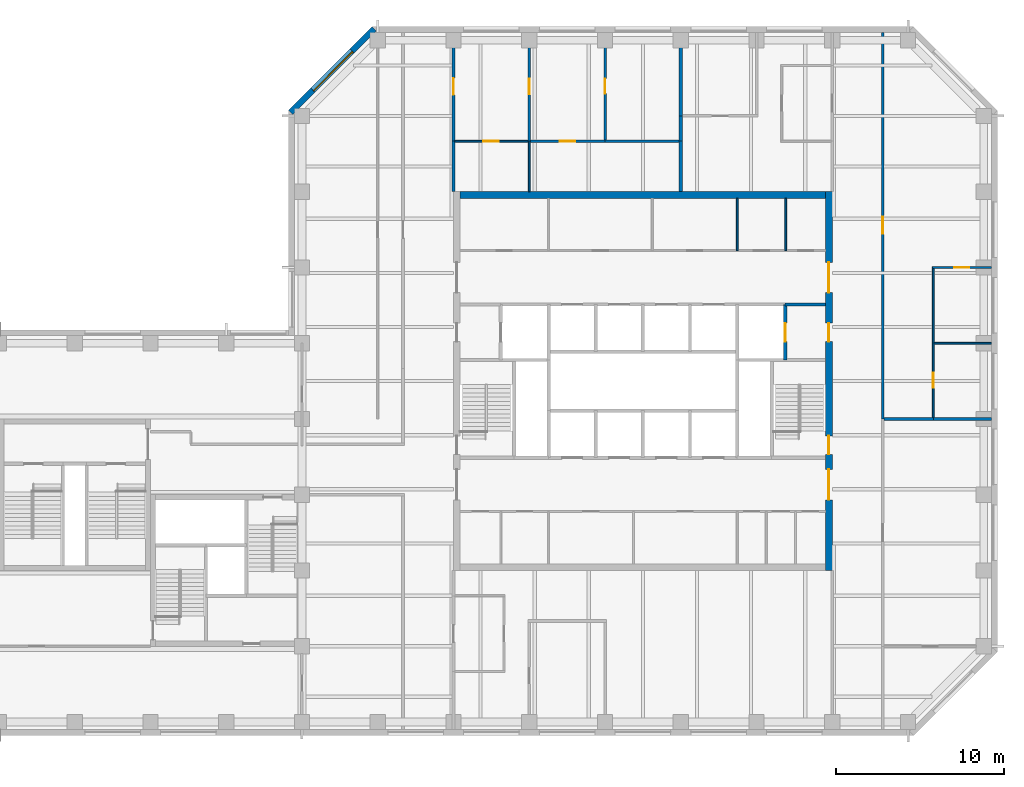
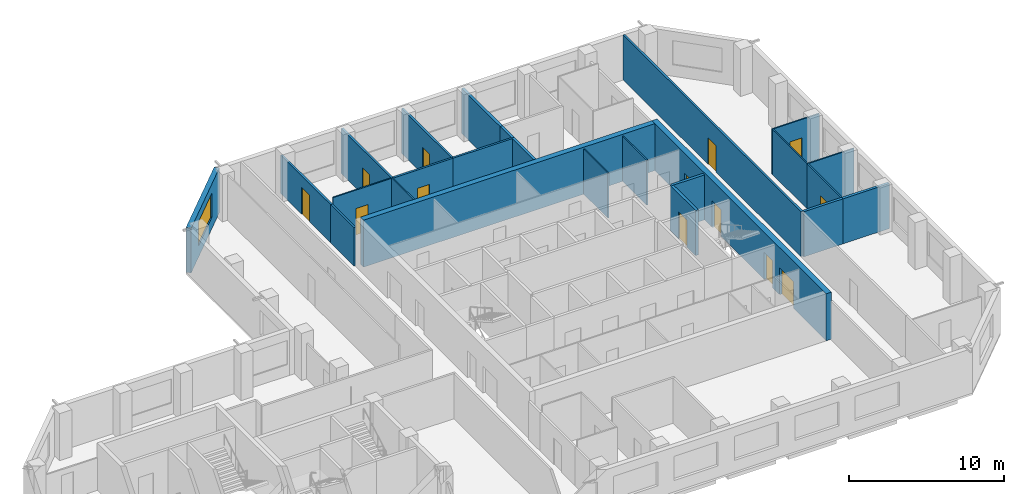
# One storey, part 6 of 9: 25 walls, 13 doors, 1 window, 14 openings.
"""IFC4 building model written with IfcOpenShell, lengths in metres."""

from ifc_helpers import new_model, si_unit, direction, frame, frame_2d, origin, place, context, subcontext, project, spatial, rectangle, extrude, material, layer, layer_set, constituent, constituent_set, type_object, element, fill, save


model = new_model("IFC4")

# Units and contexts
model_context = context("Model", 3, precision=1e-05, world=origin(), true_north=direction((0.0, 1.0)))
body_context = subcontext(model_context, "Body", "Model", "MODEL_VIEW")
ifc_project = project(units=[si_unit("LENGTHUNIT", "METRE"), si_unit("AREAUNIT", "SQUARE_METRE"), si_unit("VOLUMEUNIT", "CUBIC_METRE"), si_unit("PLANEANGLEUNIT", "RADIAN"), si_unit("MASSUNIT", "GRAM", prefix="KILO")], contexts=[model_context])

# Site, building, storey
site_placement = place(None, origin())
site = spatial("IfcSite", under=ifc_project, at=site_placement, CompositionType="ELEMENT")
building_placement = place(site_placement, origin())
building = spatial("IfcBuilding", under=site, at=building_placement, Name="Quoin Convention Tower", CompositionType="ELEMENT")
storey_placement = place(building_placement, frame((0.0, 0.0, 155.10009765625)))
storey = spatial("IfcBuildingStorey", under=building, at=storey_placement, Name="L40", CompositionType="ELEMENT", Elevation=155.10009765625)

# Wall, opening, door
ifc_material_1 = material(Name="Plasterboard")
ifc_layer_1 = layer(ifc_material_1, 0.012451171875, Name="Finish")
ifc_material_2 = material(Name="Steel stud framing", Category="steel")
ifc_layer_2 = layer(ifc_material_2, 0.125, Name="Structure")
ifc_layer_3 = layer(ifc_material_1, 0.012451171875, Name="Finish")
ifc_layer_set_1 = layer_set([ifc_layer_1, ifc_layer_2, ifc_layer_3], Name="Steel stud framing")
wall_type_1 = type_object("IfcWallType", Name="Acoustic partition 150", PredefinedType="PARTITIONING", material=ifc_layer_set_1)
wall_1_placement = place(storey_placement, frame((49.574951171875, 75.0, 0.0), z_axis=(0.0, 0.0, 1.0), x_axis=(1.0, 0.0, 0.0)))
wall_1 = element("IfcWall", 1, at=wall_1_placement, inside=storey, type_object=wall_type_1, Name="pw-L40-024", PredefinedType="PARTITIONING", context=body_context, shape_type="SweptSolid", body=[
    extrude(rectangle(XDim=4.425048828125, YDim=0.14990234375, at=frame_2d((2.21240234375, 0.0))), origin(), (0.0, 0.0, 1.0), 3.5498046875),
])
opening_1_placement = place(wall_1_placement, frame((1.75, 0.0, 0.0)))
opening_1 = element("IfcOpeningElement", 2, at=opening_1_placement, cuts=wall_1, Name="Opening DOH2-04", PredefinedType="OPENING", context=body_context, shape_type="SweptSolid", body=[
    extrude(rectangle(XDim=0.89990234375, YDim=2.10009765625, at=frame_2d((0.449951171875, 1.050048828125))), frame((0.0, 0.0849609375, 0.0), z_axis=(0.0, -1.0, 0.0), x_axis=(1.0, 0.0, 0.0)), (0.0, 0.0, 1.0), 0.169921875),
])
ifc_material_3 = material(Name="Steel door leaf", Category="steel")
door_type_1 = type_object("IfcDoorType", Name="Office door 900 x 2100", OperationType="SINGLE_SWING_RIGHT", PredefinedType="DOOR", material=ifc_material_3)
door_1_placement = place(opening_1_placement, origin())
door_1 = element("IfcDoor", 3, at=door_1_placement, inside=storey, type_object=door_type_1, Name="dr-L40-20", OperationType="SINGLE_SWING_RIGHT", OverallHeight=2.10009765625, OverallWidth=0.89990234375, PredefinedType="DOOR", context=body_context, shape_type="SweptSolid", body=[
    extrude(rectangle(XDim=0.89990234375, YDim=2.10009765625, at=frame_2d((0.449951171875, 1.050048828125))), frame((0.0, 0.02490234375, 0.0), z_axis=(0.0, -1.0, 0.0), x_axis=(1.0, 0.0, 0.0)), (0.0, 0.0, 1.0), 0.050048828125),
])
fill(opening_1, door_1)

# Wall
wall_2_placement = place(storey_placement, frame((54.0, 75.0, 0.0), z_axis=(0.0, 0.0, 1.0), x_axis=(1.0, 0.0, 0.0)))
element("IfcWall", 4, at=wall_2_placement, inside=storey, type_object=wall_type_1, Name="pw-L40-025", PredefinedType="PARTITIONING", context=body_context, shape_type="SweptSolid", body=[
    extrude(rectangle(XDim=4.39990234375, YDim=0.14990234375, at=frame_2d((2.199951171875, 0.0))), origin(), (0.0, 0.0, 1.0), 3.5498046875),
])

# Wall, opening, door
wall_3_placement = place(storey_placement, frame((49.5, 75.0, 0.0), z_axis=(0.0, 0.0, 1.0), x_axis=(0.0, 1.0, 0.0)))
wall_3 = element("IfcWall", 5, at=wall_3_placement, inside=storey, type_object=wall_type_1, Name="pw-L40-065", PredefinedType="PARTITIONING", context=body_context, shape_type="SweptSolid", body=[
    extrude(rectangle(XDim=6.449951171875, YDim=0.14990234375, at=frame_2d((3.22509765625, 0.0))), origin(), (0.0, 0.0, 1.0), 3.5498046875),
])
opening_2_placement = place(wall_3_placement, frame((2.800048828125, 0.0, 0.0)))
opening_2 = element("IfcOpeningElement", 6, at=opening_2_placement, cuts=wall_3, Name="Opening DOH2-15", PredefinedType="OPENING", context=body_context, shape_type="SweptSolid", body=[
    extrude(rectangle(XDim=0.89990234375, YDim=2.10009765625, at=frame_2d((0.449951171875, 1.050048828125))), frame((0.0, 0.0849609375, 0.0), z_axis=(0.0, -1.0, 0.0), x_axis=(1.0, 0.0, 0.0)), (0.0, 0.0, 1.0), 0.169921875),
])
door_2_placement = place(opening_2_placement, frame((0.89990234375, 0.0, 0.0), z_axis=(0.0, 0.0, 1.0), x_axis=(-1.0, 0.0, 0.0)))
door_2 = element("IfcDoor", 7, at=door_2_placement, inside=storey, type_object=door_type_1, Name="dr-L40-17", OperationType="SINGLE_SWING_LEFT", OverallHeight=2.10009765625, OverallWidth=0.89990234375, PredefinedType="DOOR", context=body_context, shape_type="SweptSolid", body=[
    extrude(rectangle(XDim=0.89990234375, YDim=2.10009765625, at=frame_2d((0.449951171875, 1.050048828125))), frame((0.0, 0.02490234375, 0.0), z_axis=(0.0, -1.0, 0.0), x_axis=(1.0, 0.0, 0.0)), (0.0, 0.0, 1.0), 0.050048828125),
])
fill(opening_2, door_2)

wall_4_placement = place(storey_placement, frame((54.0, 75.074951171875, 0.0), z_axis=(0.0, 0.0, 1.0), x_axis=(0.0, 1.0, 0.0)))
wall_4 = element("IfcWall", 8, at=wall_4_placement, inside=storey, type_object=wall_type_1, Name="pw-L40-069", PredefinedType="PARTITIONING", context=body_context, shape_type="SweptSolid", body=[
    extrude(rectangle(XDim=6.375, YDim=0.14990234375, at=frame_2d((3.1875, 0.0))), origin(), (0.0, 0.0, 1.0), 3.5498046875),
])
opening_3_placement = place(wall_4_placement, frame((2.75, 0.0, 0.0)))
opening_3 = element("IfcOpeningElement", 9, at=opening_3_placement, cuts=wall_4, Name="Opening DOH2-18", PredefinedType="OPENING", context=body_context, shape_type="SweptSolid", body=[
    extrude(rectangle(XDim=0.89990234375, YDim=2.10009765625, at=frame_2d((0.449951171875, 1.050048828125))), frame((0.0, 0.0849609375, 0.0), z_axis=(0.0, -1.0, 0.0), x_axis=(1.0, 0.0, 0.0)), (0.0, 0.0, 1.0), 0.169921875),
])
door_3_placement = place(opening_3_placement, origin())
door_3 = element("IfcDoor", 10, at=door_3_placement, inside=storey, type_object=door_type_1, Name="dr-L40-18", OperationType="SINGLE_SWING_RIGHT", OverallHeight=2.10009765625, OverallWidth=0.89990234375, PredefinedType="DOOR", context=body_context, shape_type="SweptSolid", body=[
    extrude(rectangle(XDim=0.89990234375, YDim=2.10009765625, at=frame_2d((0.449951171875, 1.050048828125))), frame((0.0, 0.02490234375, 0.0), z_axis=(0.0, -1.0, 0.0), x_axis=(1.0, 0.0, 0.0)), (0.0, 0.0, 1.0), 0.050048828125),
])
fill(opening_3, door_3)

# Wall, opening, window
ifc_material_4 = material(Name="Brick masonry", Category="masonry")
ifc_layer_4 = layer(ifc_material_4, 0.35009765625)
ifc_layer_set_2 = layer_set([ifc_layer_4], Name="Brick masonry")
wall_type_2 = type_object("IfcWallType", Name="Brick facade wall", PredefinedType="STANDARD", material=ifc_layer_set_2)
wall_5_placement = place(storey_placement, frame((40.29248046875, 81.67626953125, 0.0), z_axis=(0.0, 0.0, 1.0), x_axis=(-0.707106781187, -0.707106781187, 0.0)))
wall_5 = element("IfcWall", 11, at=wall_5_placement, inside=storey, type_object=wall_type_2, Name="fw-L40-40500_81000", PredefinedType="STANDARD", context=body_context, shape_type="SweptSolid", body=[
    extrude(rectangle(XDim=7.02685546875, YDim=0.35009765625, at=frame_2d((3.513427734375, 0.0))), origin(), (0.0, 0.0, 1.0), 3.52490234375),
])
opening_4_placement = place(wall_5_placement, frame((1.86328125, 0.0, 0.89990234375)))
opening_4 = element("IfcOpeningElement", 12, at=opening_4_placement, cuts=wall_5, Name="Opening W-02", PredefinedType="OPENING", context=body_context, shape_type="SweptSolid", body=[
    extrude(rectangle(XDim=3.300048828125, YDim=1.89990234375, at=frame_2d((1.64990234375, 0.949951171875))), frame((0.0, 0.18505859375, 0.0), z_axis=(0.0, -1.0, 0.0), x_axis=(1.0, 0.0, 0.0)), (0.0, 0.0, 1.0), 0.3701171875),
])
ifc_material_5 = material(Name="Aluminium", Category="aluminium")
ifc_constituent_1 = constituent(ifc_material_5, Name="Frame")
ifc_material_6 = material(Name="Insulated glass", Category="glass")
ifc_constituent_2 = constituent(ifc_material_6, Name="Glazing")
ifc_constituent_set = constituent_set(constituents=[ifc_constituent_1, ifc_constituent_2], Name="Aluminium")
window_type = type_object("IfcWindowType", Name="Office window", PartitioningType="DOUBLE_PANEL_VERTICAL", PredefinedType="WINDOW", material=ifc_constituent_set)
window_placement = place(opening_4_placement, origin())
window = element("IfcWindow", 13, at=window_placement, inside=storey, type_object=window_type, Name="win-L40-37808_79192", OverallHeight=1.89990234375, OverallWidth=3.300048828125, PartitioningType="SINGLE_PANEL", PredefinedType="WINDOW", context=body_context, shape_type="SweptSolid", body=[
    extrude(rectangle(XDim=3.300048828125, YDim=1.89990234375, at=frame_2d((1.64990234375, 0.949951171875))), frame((0.0, 0.0849609375, 0.0), z_axis=(0.0, -1.0, 0.0), x_axis=(1.0, 0.0, 0.0)), (0.0, 0.0, 1.0), 0.06005859375),
])
fill(opening_4, window)

# Walls
ifc_layer_5 = layer(ifc_material_1, 0.012451171875, Name="Finish")
ifc_layer_6 = layer(ifc_material_2, 0.074951171875, Name="Structure")
ifc_layer_7 = layer(ifc_material_1, 0.012451171875, Name="Finish")
ifc_layer_set_3 = layer_set([ifc_layer_5, ifc_layer_6, ifc_layer_7], Name="Steel stud framing")
wall_type_3 = type_object("IfcWallType", Name="Core partition wall", PredefinedType="PARTITIONING", material=ifc_layer_set_3)
for number, where, z_axis, x_axis, name in (
    (14, (61.85009765625, 68.5, 0.0), (0.0, 0.0, 1.0), (0.0, 1.0, 0.0), "cr-C1-L40-v16850_19000"),
    (15, (64.737548828125, 68.5, 0.0), (0.0, 0.0, 1.0), (0.0, 1.0, 0.0), "cr-C1-L40-v19738_19000"),
):
    element("IfcWall", number, at=place(storey_placement, frame(where, z_axis=z_axis, x_axis=x_axis)), inside=storey, type_object=wall_type_3, Name=name, PredefinedType="PARTITIONING", context=body_context, shape_type="SweptSolid", body=[
        extrude(rectangle(XDim=3.10009765625, YDim=0.10009765625, at=frame_2d((1.550048828125, 0.0))), origin(), (0.0, 0.0, 1.0), 3.5498046875),
    ])
ifc_material_7 = material(Name="Concrete C50", Category="concrete")
ifc_layer_8 = layer(ifc_material_7, 0.199951171875)
ifc_layer_set_4 = layer_set([ifc_layer_8], Name="Concrete C50")
wall_type_4 = type_object("IfcWallType", Name="Core shaft wall", PredefinedType="SOLIDWALL", material=ifc_layer_set_4)
wall_6_placement = place(storey_placement, frame((64.699951171875, 65.300048828125, 0.0), z_axis=(0.0, 0.0, 1.0), x_axis=(1.0, 0.0, 0.0)))
element("IfcWall", 16, at=wall_6_placement, inside=storey, type_object=wall_type_4, Name="cr-C1-L40-h15800_19700", PredefinedType="SOLIDWALL", context=body_context, shape_type="SweptSolid", body=[
    extrude(rectangle(XDim=2.400146484375, YDim=0.199951171875, at=frame_2d((1.2001953125, 0.0))), origin(), (0.0, 0.0, 1.0), 3.5498046875),
])

# Wall, opening, door
wall_7_placement = place(storey_placement, frame((64.699951171875, 62.0, 0.0), z_axis=(0.0, 0.0, 1.0), x_axis=(0.0, 1.0, 0.0)))
wall_7 = element("IfcWall", 17, at=wall_7_placement, inside=storey, type_object=wall_type_4, Name="cr-C1-L40-v19700_12500", PredefinedType="SOLIDWALL", context=body_context, shape_type="SweptSolid", body=[
    extrude(rectangle(XDim=3.300048828125, YDim=0.199951171875, at=frame_2d((1.64990234375, 0.0))), origin(), (0.0, 0.0, 1.0), 3.5498046875),
])
opening_5_placement = place(wall_7_placement, frame((1.10009765625, 0.0, 0.0)))
opening_5 = element("IfcOpeningElement", 18, at=opening_5_placement, cuts=wall_7, Name="Opening LDFL2", PredefinedType="OPENING", context=body_context, shape_type="SweptSolid", body=[
    extrude(rectangle(XDim=1.10009765625, YDim=2.10009765625, at=frame_2d((0.550048828125, 1.050048828125))), frame((0.0, 0.10986328125, 0.0), z_axis=(0.0, -1.0, 0.0), x_axis=(1.0, 0.0, 0.0)), (0.0, 0.0, 1.0), 0.219970703125),
])
door_type_2 = type_object("IfcDoorType", Name="Lift landing door 1100 x 2100", OperationType="DOUBLE_DOOR_SLIDING", PredefinedType="DOOR", material=ifc_material_3)
door_4_placement = place(opening_5_placement, origin())
door_4 = element("IfcDoor", 19, at=door_4_placement, inside=storey, type_object=door_type_2, Name="cd-C1-L40-FLE-FFE-LDFL2", OperationType="DOUBLE_DOOR_SLIDING", OverallHeight=2.10009765625, OverallWidth=1.10009765625, PredefinedType="DOOR", context=body_context, shape_type="SweptSolid", body=[
    extrude(rectangle(XDim=1.10009765625, YDim=2.10009765625, at=frame_2d((0.550048828125, 1.050048828125))), frame((0.0, 0.02490234375, 0.0), z_axis=(0.0, -1.0, 0.0), x_axis=(1.0, 0.0, 0.0)), (0.0, 0.0, 1.0), 0.050048828125),
])
fill(opening_5, door_4)

ifc_layer_9 = layer(ifc_material_1, 0.012451171875, Name="Finish")
ifc_layer_10 = layer(ifc_material_2, 0.125, Name="Structure")
ifc_layer_11 = layer(ifc_material_1, 0.012451171875, Name="Finish")
ifc_layer_set_5 = layer_set([ifc_layer_9, ifc_layer_10, ifc_layer_11], Name="Steel stud framing")
wall_type_5 = type_object("IfcWallType", Name="Corridor wall 150", PredefinedType="PARTITIONING", material=ifc_layer_set_5)
wall_8_placement = place(storey_placement, frame((70.5, 58.5, 0.0), z_axis=(0.0, 0.0, 1.0), x_axis=(0.0, 1.0, 0.0)))
wall_8 = element("IfcWall", 20, at=wall_8_placement, inside=storey, type_object=wall_type_5, Name="pw-L40-049", PredefinedType="PARTITIONING", context=body_context, shape_type="SweptSolid", body=[
    extrude(rectangle(XDim=22.949951171875, YDim=0.14990234375, at=frame_2d((11.47509765625, 0.0))), origin(), (0.0, 0.0, 1.0), 3.5498046875),
])
opening_6_placement = place(wall_8_placement, frame((11.0, 0.0, 0.0)))
opening_6 = element("IfcOpeningElement", 21, at=opening_6_placement, cuts=wall_8, Name="Opening DOH2-11", PredefinedType="OPENING", context=body_context, shape_type="SweptSolid", body=[
    extrude(rectangle(XDim=1.0, YDim=2.10009765625, at=frame_2d((0.5, 1.050048828125))), frame((0.0, 0.0849609375, 0.0), z_axis=(0.0, -1.0, 0.0), x_axis=(1.0, 0.0, 0.0)), (0.0, 0.0, 1.0), 0.169921875),
])
door_type_3 = type_object("IfcDoorType", Name="Tenancy entrance door 1000 x 2100", OperationType="DOUBLE_DOOR_SINGLE_SWING", PredefinedType="DOOR", material=ifc_material_3)
door_5_placement = place(opening_6_placement, frame((1.0, 0.0, 0.0), z_axis=(0.0, 0.0, 1.0), x_axis=(-1.0, 0.0, 0.0)))
door_5 = element("IfcDoor", 22, at=door_5_placement, inside=storey, type_object=door_type_3, Name="dr-L40-26", OperationType="DOUBLE_DOOR_SINGLE_SWING", OverallHeight=2.10009765625, OverallWidth=1.0, PredefinedType="DOOR", context=body_context, shape_type="SweptSolid", body=[
    extrude(rectangle(XDim=1.0, YDim=2.10009765625, at=frame_2d((0.5, 1.050048828125))), frame((0.0, 0.02490234375, 0.0), z_axis=(0.0, -1.0, 0.0), x_axis=(1.0, 0.0, 0.0)), (0.0, 0.0, 1.0), 0.050048828125),
])
fill(opening_6, door_5)

# Wall
ifc_layer_12 = layer(ifc_material_1, 0.012451171875, Name="Finish")
ifc_layer_13 = layer(ifc_material_2, 0.125, Name="Structure")
ifc_layer_14 = layer(ifc_material_1, 0.012451171875, Name="Finish")
ifc_layer_set_6 = layer_set([ifc_layer_12, ifc_layer_13, ifc_layer_14], Name="Steel stud framing")
wall_type_6 = type_object("IfcWallType", Name="Corridor wall 150 under beam 528", PredefinedType="PARTITIONING", material=ifc_layer_set_6)
wall_9_placement = place(storey_placement, frame((45.0, 72.0, 0.0), z_axis=(0.0, 0.0, 1.0), x_axis=(0.0, 1.0, 0.0)))
element("IfcWall", 23, at=wall_9_placement, inside=storey, type_object=wall_type_6, Name="pw-L40-060", PredefinedType="PARTITIONING", context=body_context, shape_type="SweptSolid", body=[
    extrude(rectangle(XDim=3.0, YDim=0.14990234375, at=frame_2d((1.5, 0.0))), origin(), (0.0, 0.0, 1.0), 3.02197265625),
])

# Wall, opening, door
wall_10_placement = place(storey_placement, frame((45.0, 75.0, 0.0), z_axis=(0.0, 0.0, 1.0), x_axis=(0.0, 1.0, 0.0)))
wall_10 = element("IfcWall", 24, at=wall_10_placement, inside=storey, type_object=wall_type_6, Name="pw-L40-064", PredefinedType="PARTITIONING", context=body_context, shape_type="SweptSolid", body=[
    extrude(rectangle(XDim=6.449951171875, YDim=0.14990234375, at=frame_2d((3.22509765625, 0.0))), origin(), (0.0, 0.0, 1.0), 3.02197265625),
])
opening_7_placement = place(wall_10_placement, frame((2.75, 0.0, 0.0)))
opening_7 = element("IfcOpeningElement", 25, at=opening_7_placement, cuts=wall_10, Name="Opening DOH2-14", PredefinedType="OPENING", context=body_context, shape_type="SweptSolid", body=[
    extrude(rectangle(XDim=1.0, YDim=2.10009765625, at=frame_2d((0.5, 1.050048828125))), frame((0.0, 0.0849609375, 0.0), z_axis=(0.0, -1.0, 0.0), x_axis=(1.0, 0.0, 0.0)), (0.0, 0.0, 1.0), 0.169921875),
])
door_6_placement = place(opening_7_placement, origin())
door_6 = element("IfcDoor", 26, at=door_6_placement, inside=storey, type_object=door_type_3, Name="dr-L40-16", OperationType="DOUBLE_DOOR_SINGLE_SWING", OverallHeight=2.10009765625, OverallWidth=1.0, PredefinedType="DOOR", context=body_context, shape_type="SweptSolid", body=[
    extrude(rectangle(XDim=1.0, YDim=2.10009765625, at=frame_2d((0.5, 1.050048828125))), frame((0.0, 0.02490234375, 0.0), z_axis=(0.0, -1.0, 0.0), x_axis=(1.0, 0.0, 0.0)), (0.0, 0.0, 1.0), 0.050048828125),
])
fill(opening_7, door_6)

# Wall
ifc_layer_15 = layer(ifc_material_7, 0.39990234375)
ifc_layer_set_7 = layer_set([ifc_layer_15], Name="Concrete C50")
wall_type_7 = type_object("IfcWallType", Name="RC CORE WALL 400 C50", PredefinedType="SHEAR", material=ifc_layer_set_7)
wall_11_placement = place(storey_placement, frame((45.39990234375, 71.800048828125, 0.0), z_axis=(0.0, 0.0, 1.0), x_axis=(1.0, 0.0, 0.0)))
element("IfcWall", 27, at=wall_11_placement, inside=storey, type_object=wall_type_7, Name="cwl-C1-L40-N", PredefinedType="SHEAR", context=body_context, shape_type="SweptSolid", body=[
    extrude(rectangle(XDim=21.7001953125, YDim=0.39990234375, at=frame_2d((10.85009765625, 0.0))), origin(), (0.0, 0.0, 1.0), 3.699951171875),
])

# Wall, openings, doors
wall_12_placement = place(storey_placement, frame((67.300048828125, 49.5, 0.0), z_axis=(0.0, 0.0, 1.0), x_axis=(0.0, 1.0, 0.0)))
wall_12 = element("IfcWall", 28, at=wall_12_placement, inside=storey, type_object=wall_type_7, Name="cwl-C1-L40-E", PredefinedType="SHEAR", context=body_context, shape_type="SweptSolid", body=[
    extrude(rectangle(XDim=22.5, YDim=0.39990234375, at=frame_2d((11.25, 0.0))), origin(), (0.0, 0.0, 1.0), 3.699951171875),
])
opening_8_placement = place(wall_12_placement, frame((4.199951171875, 0.0, 0.0)))
opening_8 = element("IfcOpeningElement", 29, at=opening_8_placement, cuts=wall_12, Name="Opening DCV2-38", PredefinedType="OPENING", context=body_context, shape_type="SweptSolid", body=[
    extrude(rectangle(XDim=1.800048828125, YDim=2.10009765625, at=frame_2d((0.89990234375, 1.050048828125))), frame((0.0, 0.2099609375, 0.0), z_axis=(0.0, -1.0, 0.0), x_axis=(1.0, 0.0, 0.0)), (0.0, 0.0, 1.0), 0.419921875),
])
opening_9_placement = place(wall_12_placement, frame((6.89990234375, 0.0, 0.0)))
opening_9 = element("IfcOpeningElement", 30, at=opening_9_placement, cuts=wall_12, Name="Opening SD2", PredefinedType="OPENING", context=body_context, shape_type="SweptSolid", body=[
    extrude(rectangle(XDim=1.10009765625, YDim=2.10009765625, at=frame_2d((0.550048828125, 1.050048828125))), frame((0.0, 0.2099609375, 0.0), z_axis=(0.0, -1.0, 0.0), x_axis=(1.0, 0.0, 0.0)), (0.0, 0.0, 1.0), 0.419921875),
])
opening_10_placement = place(wall_12_placement, frame((13.60009765625, 0.0, 0.0)))
opening_10 = element("IfcOpeningElement", 31, at=opening_10_placement, cuts=wall_12, Name="Opening DCV2-37", PredefinedType="OPENING", context=body_context, shape_type="SweptSolid", body=[
    extrude(rectangle(XDim=1.10009765625, YDim=2.10009765625, at=frame_2d((0.550048828125, 1.050048828125))), frame((0.0, 0.2099609375, 0.0), z_axis=(0.0, -1.0, 0.0), x_axis=(1.0, 0.0, 0.0)), (0.0, 0.0, 1.0), 0.419921875),
])
opening_11_placement = place(wall_12_placement, frame((16.5, 0.0, 0.0)))
opening_11 = element("IfcOpeningElement", 32, at=opening_11_placement, cuts=wall_12, Name="Opening DCV2-38", PredefinedType="OPENING", context=body_context, shape_type="SweptSolid", body=[
    extrude(rectangle(XDim=1.800048828125, YDim=2.10009765625, at=frame_2d((0.89990234375, 1.050048828125))), frame((0.0, 0.2099609375, 0.0), z_axis=(0.0, -1.0, 0.0), x_axis=(1.0, 0.0, 0.0)), (0.0, 0.0, 1.0), 0.419921875),
])
door_type_4 = type_object("IfcDoorType", Name="Fire-fighting lobby door 1100 x 2100", OperationType="SINGLE_SWING_LEFT", PredefinedType="DOOR", material=ifc_material_3)
door_7_placement = place(opening_10_placement, origin())
door_7 = element("IfcDoor", 33, at=door_7_placement, inside=storey, type_object=door_type_4, Name="cd-C1-L40-FFE-E", OperationType="SINGLE_SWING_RIGHT", OverallHeight=2.10009765625, OverallWidth=1.10009765625, PredefinedType="DOOR", context=body_context, shape_type="SweptSolid", body=[
    extrude(rectangle(XDim=1.10009765625, YDim=2.10009765625, at=frame_2d((0.550048828125, 1.050048828125))), frame((0.0, 0.02490234375, 0.0), z_axis=(0.0, -1.0, 0.0), x_axis=(1.0, 0.0, 0.0)), (0.0, 0.0, 1.0), 0.050048828125),
])
fill(opening_10, door_7)
door_type_5 = type_object("IfcDoorType", Name="Lift lobby door 1800 x 2100", OperationType="SINGLE_SWING_LEFT", PredefinedType="DOOR", material=ifc_material_3)
door_8_placement = place(opening_8_placement, origin())
door_8 = element("IfcDoor", 34, at=door_8_placement, inside=storey, type_object=door_type_5, Name="cd-C1-L40-lobA-E", OperationType="SINGLE_SWING_RIGHT", OverallHeight=2.10009765625, OverallWidth=1.800048828125, PredefinedType="DOOR", context=body_context, shape_type="SweptSolid", body=[
    extrude(rectangle(XDim=1.800048828125, YDim=2.10009765625, at=frame_2d((0.89990234375, 1.050048828125))), frame((0.0, 0.02490234375, 0.0), z_axis=(0.0, -1.0, 0.0), x_axis=(1.0, 0.0, 0.0)), (0.0, 0.0, 1.0), 0.050048828125),
])
fill(opening_8, door_8)
door_9_placement = place(opening_11_placement, origin())
door_9 = element("IfcDoor", 35, at=door_9_placement, inside=storey, type_object=door_type_5, Name="cd-C1-L40-lobB-E", OperationType="SINGLE_SWING_RIGHT", OverallHeight=2.10009765625, OverallWidth=1.800048828125, PredefinedType="DOOR", context=body_context, shape_type="SweptSolid", body=[
    extrude(rectangle(XDim=1.800048828125, YDim=2.10009765625, at=frame_2d((0.89990234375, 1.050048828125))), frame((0.0, 0.02490234375, 0.0), z_axis=(0.0, -1.0, 0.0), x_axis=(1.0, 0.0, 0.0)), (0.0, 0.0, 1.0), 0.050048828125),
])
fill(opening_11, door_9)
door_type_6 = type_object("IfcDoorType", Name="Stair door 1100 x 2100", OperationType="SINGLE_SWING_RIGHT", PredefinedType="DOOR", material=ifc_material_3)
door_10_placement = place(opening_9_placement, origin())
door_10 = element("IfcDoor", 36, at=door_10_placement, inside=storey, type_object=door_type_6, Name="cd-C1-L40-STE-E", OperationType="SINGLE_SWING_LEFT", OverallHeight=2.10009765625, OverallWidth=1.10009765625, PredefinedType="DOOR", context=body_context, shape_type="SweptSolid", body=[
    extrude(rectangle(XDim=1.10009765625, YDim=2.10009765625, at=frame_2d((0.550048828125, 1.050048828125))), frame((0.0, 0.02490234375, 0.0), z_axis=(0.0, -1.0, 0.0), x_axis=(1.0, 0.0, 0.0)), (0.0, 0.0, 1.0), 0.050048828125),
])
fill(opening_9, door_10)

# Wall
ifc_layer_16 = layer(ifc_material_1, 0.012451171875, Name="Finish")
ifc_layer_17 = layer(ifc_material_2, 0.074951171875, Name="Structure")
ifc_layer_18 = layer(ifc_material_1, 0.012451171875, Name="Finish")
ifc_layer_set_8 = layer_set([ifc_layer_16, ifc_layer_17, ifc_layer_18], Name="Steel stud framing")
wall_type_8 = type_object("IfcWallType", Name="Stud partition 100", PredefinedType="PARTITIONING", material=ifc_layer_set_8)
wall_13_placement = place(storey_placement, frame((73.550048828125, 63.0, 0.0), z_axis=(0.0, 0.0, 1.0), x_axis=(1.0, 0.0, 0.0)))
element("IfcWall", 37, at=wall_13_placement, inside=storey, type_object=wall_type_8, Name="pw-L40-019", PredefinedType="PARTITIONING", context=body_context, shape_type="SweptSolid", body=[
    extrude(rectangle(XDim=3.39990234375, YDim=0.10009765625, at=frame_2d((1.699951171875, 0.0))), origin(), (0.0, 0.0, 1.0), 3.5498046875),
])

# Wall, opening, door
wall_14_placement = place(storey_placement, frame((73.449951171875, 67.5, 0.0), z_axis=(0.0, 0.0, 1.0), x_axis=(1.0, 0.0, 0.0)))
wall_14 = element("IfcWall", 38, at=wall_14_placement, inside=storey, type_object=wall_type_8, Name="pw-L40-021", PredefinedType="PARTITIONING", context=body_context, shape_type="SweptSolid", body=[
    extrude(rectangle(XDim=3.5, YDim=0.10009765625, at=frame_2d((1.75, 0.0))), origin(), (0.0, 0.0, 1.0), 3.5498046875),
])
opening_12_placement = place(wall_14_placement, frame((1.300048828125, 0.0, 0.0)))
opening_12 = element("IfcOpeningElement", 39, at=opening_12_placement, cuts=wall_14, Name="Opening DOH2-02", PredefinedType="OPENING", context=body_context, shape_type="SweptSolid", body=[
    extrude(rectangle(XDim=0.89990234375, YDim=2.10009765625, at=frame_2d((0.449951171875, 1.050048828125))), frame((0.0, 0.06005859375, 0.0), z_axis=(0.0, -1.0, 0.0), x_axis=(1.0, 0.0, 0.0)), (0.0, 0.0, 1.0), 0.1201171875),
])
door_11_placement = place(opening_12_placement, origin())
door_11 = element("IfcDoor", 40, at=door_11_placement, inside=storey, type_object=door_type_1, Name="dr-L40-28", OperationType="SINGLE_SWING_RIGHT", OverallHeight=2.10009765625, OverallWidth=0.89990234375, PredefinedType="DOOR", context=body_context, shape_type="SweptSolid", body=[
    extrude(rectangle(XDim=0.89990234375, YDim=2.10009765625, at=frame_2d((0.449951171875, 1.050048828125))), frame((0.0, 0.02490234375, 0.0), z_axis=(0.0, -1.0, 0.0), x_axis=(1.0, 0.0, 0.0)), (0.0, 0.0, 1.0), 0.050048828125),
])
fill(opening_12, door_11)

wall_15_placement = place(storey_placement, frame((45.074951171875, 75.0, 0.0), z_axis=(0.0, 0.0, 1.0), x_axis=(1.0, 0.0, 0.0)))
wall_15 = element("IfcWall", 41, at=wall_15_placement, inside=storey, type_object=wall_type_8, Name="pw-L40-023", PredefinedType="PARTITIONING", context=body_context, shape_type="SweptSolid", body=[
    extrude(rectangle(XDim=4.35009765625, YDim=0.10009765625, at=frame_2d((2.175048828125, 0.0))), origin(), (0.0, 0.0, 1.0), 3.5498046875),
])
opening_13_placement = place(wall_15_placement, frame((1.699951171875, 0.0, 0.0)))
opening_13 = element("IfcOpeningElement", 42, at=opening_13_placement, cuts=wall_15, Name="Opening DOH2-03", PredefinedType="OPENING", context=body_context, shape_type="SweptSolid", body=[
    extrude(rectangle(XDim=0.89990234375, YDim=2.10009765625, at=frame_2d((0.449951171875, 1.050048828125))), frame((0.0, 0.06005859375, 0.0), z_axis=(0.0, -1.0, 0.0), x_axis=(1.0, 0.0, 0.0)), (0.0, 0.0, 1.0), 0.1201171875),
])
door_12_placement = place(opening_13_placement, frame((0.89990234375, 0.0, 0.0), z_axis=(0.0, 0.0, 1.0), x_axis=(-1.0, 0.0, 0.0)))
door_12 = element("IfcDoor", 43, at=door_12_placement, inside=storey, type_object=door_type_1, Name="dr-L40-19", OperationType="SINGLE_SWING_LEFT", OverallHeight=2.10009765625, OverallWidth=0.89990234375, PredefinedType="DOOR", context=body_context, shape_type="SweptSolid", body=[
    extrude(rectangle(XDim=0.89990234375, YDim=2.10009765625, at=frame_2d((0.449951171875, 1.050048828125))), frame((0.0, 0.02490234375, 0.0), z_axis=(0.0, -1.0, 0.0), x_axis=(1.0, 0.0, 0.0)), (0.0, 0.0, 1.0), 0.050048828125),
])
fill(opening_13, door_12)

wall_16_placement = place(storey_placement, frame((73.5, 58.60009765625, 0.0), z_axis=(0.0, 0.0, 1.0), x_axis=(0.0, 1.0, 0.0)))
wall_16 = element("IfcWall", 44, at=wall_16_placement, inside=storey, type_object=wall_type_8, Name="pw-L40-051", PredefinedType="PARTITIONING", context=body_context, shape_type="SweptSolid", body=[
    extrude(rectangle(XDim=4.39990234375, YDim=0.10009765625, at=frame_2d((2.199951171875, 0.0))), origin(), (0.0, 0.0, 1.0), 3.5498046875),
])
opening_14_placement = place(wall_16_placement, frame((1.75, 0.0, 0.0)))
opening_14 = element("IfcOpeningElement", 45, at=opening_14_placement, cuts=wall_16, Name="Opening DOH2-12", PredefinedType="OPENING", context=body_context, shape_type="SweptSolid", body=[
    extrude(rectangle(XDim=0.89990234375, YDim=2.10009765625, at=frame_2d((0.449951171875, 1.050048828125))), frame((0.0, 0.06005859375, 0.0), z_axis=(0.0, -1.0, 0.0), x_axis=(1.0, 0.0, 0.0)), (0.0, 0.0, 1.0), 0.1201171875),
])
door_13_placement = place(opening_14_placement, origin())
door_13 = element("IfcDoor", 46, at=door_13_placement, inside=storey, type_object=door_type_1, Name="dr-L40-27", OperationType="SINGLE_SWING_RIGHT", OverallHeight=2.10009765625, OverallWidth=0.89990234375, PredefinedType="DOOR", context=body_context, shape_type="SweptSolid", body=[
    extrude(rectangle(XDim=0.89990234375, YDim=2.10009765625, at=frame_2d((0.449951171875, 1.050048828125))), frame((0.0, 0.02490234375, 0.0), z_axis=(0.0, -1.0, 0.0), x_axis=(1.0, 0.0, 0.0)), (0.0, 0.0, 1.0), 0.050048828125),
])
fill(opening_14, door_13)

# Walls
wall_17_placement = place(storey_placement, frame((73.5, 63.0, 0.0), z_axis=(0.0, 0.0, 1.0), x_axis=(0.0, 1.0, 0.0)))
element("IfcWall", 47, at=wall_17_placement, inside=storey, type_object=wall_type_8, Name="pw-L40-058", PredefinedType="PARTITIONING", context=body_context, shape_type="SweptSolid", body=[
    extrude(rectangle(XDim=4.449951171875, YDim=0.10009765625, at=frame_2d((2.22509765625, 0.0))), origin(), (0.0, 0.0, 1.0), 3.5498046875),
])
wall_18_placement = place(storey_placement, frame((49.5, 72.0, 0.0), z_axis=(0.0, 0.0, 1.0), x_axis=(0.0, 1.0, 0.0)))
element("IfcWall", 48, at=wall_18_placement, inside=storey, type_object=wall_type_8, Name="pw-L40-061", PredefinedType="PARTITIONING", context=body_context, shape_type="SweptSolid", body=[
    extrude(rectangle(XDim=3.0, YDim=0.10009765625, at=frame_2d((1.5, 0.0))), origin(), (0.0, 0.0, 1.0), 3.5498046875),
])
ifc_layer_19 = layer(ifc_material_1, 0.012451171875, Name="Finish")
ifc_layer_20 = layer(ifc_material_2, 0.175048828125, Name="Structure")
ifc_layer_21 = layer(ifc_material_1, 0.012451171875, Name="Finish")
ifc_layer_set_9 = layer_set([ifc_layer_19, ifc_layer_20, ifc_layer_21], Name="Steel stud framing")
wall_type_9 = type_object("IfcWallType", Name="Tenancy demising wall 200", PredefinedType="PARTITIONING", material=ifc_layer_set_9)
wall_19_placement = place(storey_placement, frame((70.574951171875, 58.5, 0.0), z_axis=(0.0, 0.0, 1.0), x_axis=(1.0, 0.0, 0.0)))
element("IfcWall", 49, at=wall_19_placement, inside=storey, type_object=wall_type_9, Name="pw-L40-014", PredefinedType="PARTITIONING", context=body_context, shape_type="SweptSolid", body=[
    extrude(rectangle(XDim=2.925048828125, YDim=0.199951171875, at=frame_2d((1.46240234375, 0.0))), origin(), (0.0, 0.0, 1.0), 3.5498046875),
])
wall_20_placement = place(storey_placement, frame((73.5, 58.5, 0.0), z_axis=(0.0, 0.0, 1.0), x_axis=(1.0, 0.0, 0.0)))
element("IfcWall", 50, at=wall_20_placement, inside=storey, type_object=wall_type_9, Name="pw-L40-015", PredefinedType="PARTITIONING", context=body_context, shape_type="SweptSolid", body=[
    extrude(rectangle(XDim=3.449951171875, YDim=0.199951171875, at=frame_2d((1.72509765625, 0.0))), origin(), (0.0, 0.0, 1.0), 3.5498046875),
])
wall_21_placement = place(storey_placement, frame((58.5, 72.0, 0.0), z_axis=(0.0, 0.0, 1.0), x_axis=(0.0, 1.0, 0.0)))
element("IfcWall", 51, at=wall_21_placement, inside=storey, type_object=wall_type_9, Name="pw-L40-062", PredefinedType="PARTITIONING", context=body_context, shape_type="SweptSolid", body=[
    extrude(rectangle(XDim=3.0, YDim=0.199951171875, at=frame_2d((1.5, 0.0))), origin(), (0.0, 0.0, 1.0), 3.5498046875),
])
wall_22_placement = place(storey_placement, frame((58.5, 75.0, 0.0), z_axis=(0.0, 0.0, 1.0), x_axis=(0.0, 1.0, 0.0)))
element("IfcWall", 52, at=wall_22_placement, inside=storey, type_object=wall_type_9, Name="pw-L40-066", PredefinedType="PARTITIONING", context=body_context, shape_type="SweptSolid", body=[
    extrude(rectangle(XDim=1.5, YDim=0.199951171875, at=frame_2d((0.75, 0.0))), origin(), (0.0, 0.0, 1.0), 3.5498046875),
])
wall_23_placement = place(storey_placement, frame((58.5, 76.5, 0.0), z_axis=(0.0, 0.0, 1.0), x_axis=(0.0, 1.0, 0.0)))
element("IfcWall", 53, at=wall_23_placement, inside=storey, type_object=wall_type_9, Name="pw-L40-070", PredefinedType="PARTITIONING", context=body_context, shape_type="SweptSolid", body=[
    extrude(rectangle(XDim=4.949951171875, YDim=0.199951171875, at=frame_2d((2.47509765625, 0.0))), origin(), (0.0, 0.0, 1.0), 3.5498046875),
])

save(model, "model.ifc")
